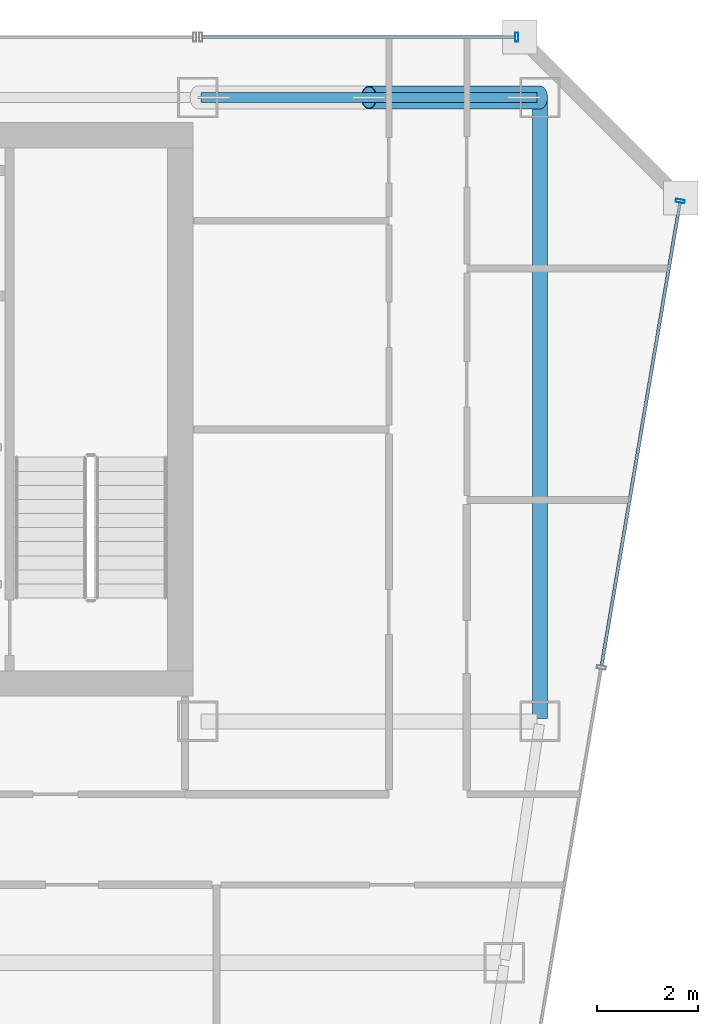
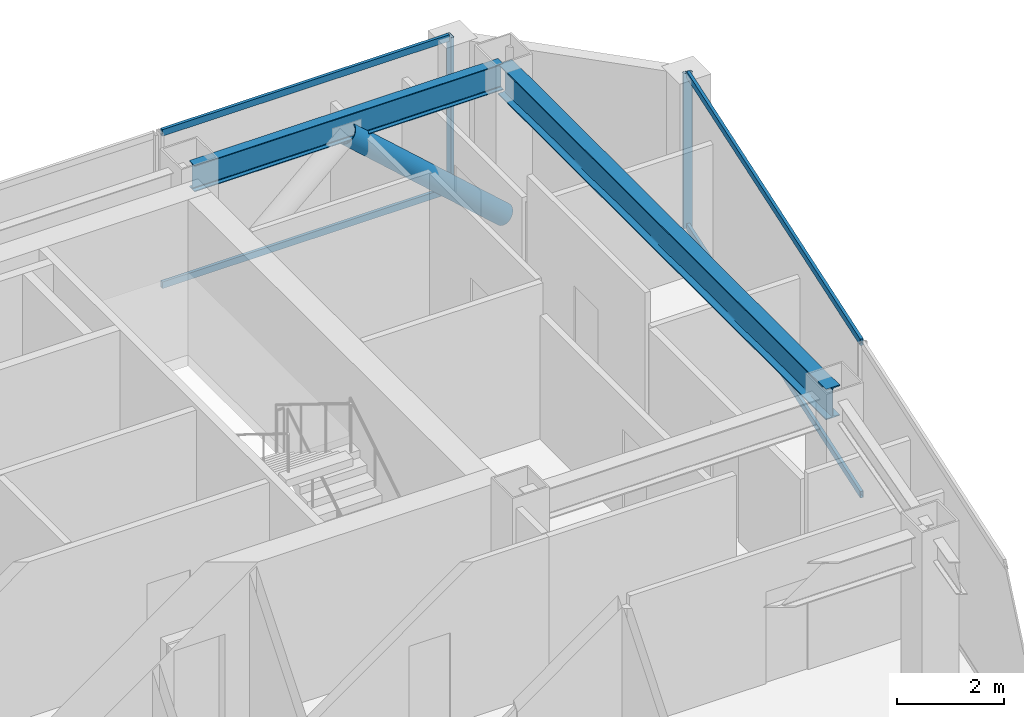
# One storey, part 27 of 36: 7 members, 2 beams, 2 elements without a shape of their own.
"""IFC4 building model written with IfcOpenShell, lengths in metres."""

from ifc_helpers import new_model, si_unit, direction, frame, origin, origin_2d, place, context, subcontext, project, spatial, hollow_rectangle, hollow_circle, i_section, extrude, material, material_profile, profile_set, type_object, element, aggregate, save


model = new_model("IFC4")

# Units and contexts
model_context = context("Model", 3, precision=1e-05, world=origin(), true_north=direction((0.0, 1.0)))
body_context = subcontext(model_context, "Body", "Model", "MODEL_VIEW")
ifc_project = project(units=[si_unit("LENGTHUNIT", "METRE"), si_unit("AREAUNIT", "SQUARE_METRE"), si_unit("VOLUMEUNIT", "CUBIC_METRE"), si_unit("PLANEANGLEUNIT", "RADIAN"), si_unit("MASSUNIT", "GRAM", prefix="KILO")], contexts=[model_context])

# Site, building, storey
site_placement = place(None, origin())
site = spatial("IfcSite", under=ifc_project, at=site_placement, CompositionType="ELEMENT")
building_placement = place(site_placement, origin())
building = spatial("IfcBuilding", under=site, at=building_placement, Name="Saevonmaru Cultural Tower", CompositionType="ELEMENT")
storey_placement = place(building_placement, frame((0.0, 0.0, 186.60009765625)))
storey = spatial("IfcBuildingStorey", under=building, at=storey_placement, Name="L42", CompositionType="ELEMENT", Elevation=186.60009765625)

# Beams
ifc_material_1 = material(Name="Steel SM355", Category="steel")
ifc_material_profile_1 = material_profile(ifc_material_1, i_section(OverallWidth=0.300048828125, OverallDepth=0.699951171875, WebThickness=0.012939453125, FlangeThickness=0.02392578125, FilletRadius=0.02587890625, at=origin_2d()), Name="H-700x300x13x24")
ifc_profile_set_1 = profile_set([ifc_material_profile_1], Name="Steel SM355")
beam_type_1 = type_object("IfcBeamType", Name="BM-G-H700", PredefinedType="BEAM", material=ifc_profile_set_1)
beam_1_placement = place(storey_placement, frame((53.199951171875, 54.739990234375, 3.199951171875), z_axis=(0.0, -1.0, 0.0), x_axis=(1.0, 0.0, 0.0)))
element("IfcBeam", 1, at=beam_1_placement, inside=storey, type_object=beam_type_1, Name="L42 Spine Transverse Girder E", PredefinedType="BEAM", context=body_context, shape_type="SweptSolid", body=[
    extrude(i_section(OverallWidth=0.300048828125, OverallDepth=0.699951171875, WebThickness=0.012939453125, FlangeThickness=0.02392578125, FilletRadius=0.02587890625, at=origin_2d()), origin(), (0.0, 0.0, 1.0), 12.280029296875),
])
ifc_material_profile_2 = material_profile(ifc_material_1, i_section(OverallWidth=0.199951171875, OverallDepth=0.60009765625, WebThickness=0.010986328125, FlangeThickness=0.01708984375, FilletRadius=0.02197265625, at=origin_2d()), Name="H-600x200x11x17")
ifc_profile_set_2 = profile_set([ifc_material_profile_2], Name="Steel SM355")
beam_type_2 = type_object("IfcBeamType", Name="BM-SP-H600", PredefinedType="SPANDREL", material=ifc_profile_set_2)
beam_2_placement = place(storey_placement, frame((46.4599609375, 54.800048828125, 3.25), z_axis=(1.0, 0.0, 0.0), x_axis=(0.0, 1.0, 0.0)))
element("IfcBeam", 2, at=beam_2_placement, inside=storey, type_object=beam_type_2, Name="L42 North Spine Girder 5", PredefinedType="SPANDREL", context=body_context, shape_type="SweptSolid", body=[
    extrude(i_section(OverallWidth=0.199951171875, OverallDepth=0.60009765625, WebThickness=0.010986328125, FlangeThickness=0.01708984375, FilletRadius=0.02197265625, at=origin_2d()), origin(), (0.0, 0.0, 1.0), 6.679931640625),
])

# Member
ifc_material_2 = material(Name="Steel SM420", Category="steel")
ifc_material_profile_3 = material_profile(ifc_material_2, hollow_circle(Radius=0.228515625, WallThickness=0.02001953125, at=origin_2d()), Name="CHS-457.2x20")
ifc_profile_set_3 = profile_set([ifc_material_profile_3], Name="Steel SM420")
member_type_1 = type_object("IfcMemberType", Name="MB-PBR-CHS457", PredefinedType="BRACE", material=ifc_profile_set_3)
member_1_placement = place(storey_placement, frame((53.199951171875, 54.800048828125, 0.02001953125), z_axis=(-0.744393515062, 0.0, 0.667741188436), x_axis=(0.0, -1.0, 0.0)))
element("IfcMember", 3, at=member_1_placement, inside=storey, type_object=member_type_1, Name="L42 Perimeter Braced-Tube Diagonal EN2", PredefinedType="BRACE", context=body_context, shape_type="SweptSolid", body=[
    extrude(hollow_circle(Radius=0.228515625, WallThickness=0.02001953125, at=origin_2d()), origin(), (0.0, 0.0, 1.0), 4.5673828125),
])

# Curtain wall, member
ifc_material_3 = material(Name="Satin Bronze Anodised Aluminium", Category="aluminium")
curtain_wall_type = type_object("IfcCurtainWallType", Name="CW-TYP-B", PredefinedType="NOTDEFINED", material=ifc_material_3)
curtain_wall_1_placement = place(storey_placement, origin())
curtain_wall_1 = element("IfcCurtainWall", 4, at=curtain_wall_1_placement, inside=storey, type_object=curtain_wall_type, Name="L42 Unitised Curtain Wall E8", PredefinedType="NOTDEFINED")
ifc_material_profile_4 = material_profile(ifc_material_3, hollow_rectangle(XDim=0.06494140625, YDim=0.179931640625, WallThickness=0.00390625, at=origin_2d()), Name="ALU-MULL-180x65x4")
ifc_profile_set_4 = profile_set([ifc_material_profile_4], Name="Satin Bronze Anodised Aluminium")
member_type_2 = type_object("IfcMemberType", Name="ML-CW-180x65", PredefinedType="MULLION", material=ifc_profile_set_4)
member_2_placement = place(storey_placement, frame((55.989990234375, 52.74072265625, 0.0), z_axis=(0.0, 0.0, 1.0), x_axis=(0.16692169721, 0.985970155228, 0.0)))
member_2 = element("IfcMember", 5, at=member_2_placement, type_object=member_type_2, Name="CW-TW-L42-E8 mullion 5", PredefinedType="MULLION", context=body_context, shape_type="SweptSolid", body=[
    extrude(hollow_rectangle(XDim=0.06494140625, YDim=0.179931640625, WallThickness=0.00390625, at=origin_2d()), origin(), (0.0, 0.0, 1.0), 3.5498046875),
])

curtain_wall_2_placement = place(storey_placement, origin())
curtain_wall_2 = element("IfcCurtainWall", 6, at=curtain_wall_2_placement, inside=storey, type_object=curtain_wall_type, Name="L42 East Braced Bay Spandrel Curtain Wall E10A", PredefinedType="NOTDEFINED")
member_3_placement = place(storey_placement, frame((52.739990234375, 56.0, 0.0), z_axis=(0.0, 0.0, 1.0), x_axis=(-1.0, 0.0, 0.0)))
member_3 = element("IfcMember", 7, at=member_3_placement, type_object=member_type_2, Name="CW-TW-L42-E10A mullion 1", PredefinedType="MULLION", context=body_context, shape_type="SweptSolid", body=[
    extrude(hollow_rectangle(XDim=0.06494140625, YDim=0.179931640625, WallThickness=0.00390625, at=origin_2d()), origin(), (0.0, 0.0, 1.0), 3.5498046875),
])

# Member
ifc_material_profile_5 = material_profile(ifc_material_3, hollow_rectangle(XDim=0.06494140625, YDim=0.14990234375, WallThickness=0.00390625, at=origin_2d()), Name="ALU-TRAN-150x65x4")
ifc_profile_set_5 = profile_set([ifc_material_profile_5], Name="Satin Bronze Anodised Aluminium")
member_type_3 = type_object("IfcMemberType", Name="TR-CW-150x65", PredefinedType="USERDEFINED", material=ifc_profile_set_5)
member_4_placement = place(storey_placement, frame((54.426025390625, 43.50244140625, 0.032470703125), z_axis=(0.166921263871, 0.985970228591, 0.0), x_axis=(-0.985970228591, 0.166921263871, 0.0)))
member_4 = element("IfcMember", 8, at=member_4_placement, type_object=member_type_3, Name="CW-TW-L42-E8 transom 4.1", ObjectType="TRANSOM", PredefinedType="USERDEFINED", context=body_context, shape_type="SweptSolid", body=[
    extrude(hollow_rectangle(XDim=0.06494140625, YDim=0.14990234375, WallThickness=0.00390625, at=origin_2d()), origin(), (0.0, 0.0, 1.0), 9.33740234375),
])

member_5_placement = place(storey_placement, frame((54.426025390625, 43.50244140625, 3.517333984375), z_axis=(0.166921263871, 0.985970228591, 0.0), x_axis=(-0.985970228591, 0.166921263871, 0.0)))
member_5 = element("IfcMember", 9, at=member_5_placement, type_object=member_type_3, Name="CW-TW-L42-E8 transom 4.2", ObjectType="TRANSOM", PredefinedType="USERDEFINED", context=body_context, shape_type="SweptSolid", body=[
    extrude(hollow_rectangle(XDim=0.06494140625, YDim=0.14990234375, WallThickness=0.00390625, at=origin_2d()), origin(), (0.0, 0.0, 1.0), 9.33740234375),
])

aggregate(curtain_wall_1, [member_2, member_4, member_5])

member_6_placement = place(storey_placement, frame((52.70751953125, 56.0, 0.032470703125), z_axis=(-1.0, 0.0, 0.0), x_axis=(0.0, -1.0, 0.0)))
member_6 = element("IfcMember", 10, at=member_6_placement, type_object=member_type_3, Name="CW-TW-L42-E10A transom 1.1", ObjectType="TRANSOM", PredefinedType="USERDEFINED", context=body_context, shape_type="SweptSolid", body=[
    extrude(hollow_rectangle(XDim=0.06494140625, YDim=0.14990234375, WallThickness=0.00390625, at=origin_2d()), origin(), (0.0, 0.0, 1.0), 6.215087890625),
])

member_7_placement = place(storey_placement, frame((52.70751953125, 56.0, 3.517333984375), z_axis=(-1.0, 0.0, 0.0), x_axis=(0.0, -1.0, 0.0)))
member_7 = element("IfcMember", 11, at=member_7_placement, type_object=member_type_3, Name="CW-TW-L42-E10A transom 1.2", ObjectType="TRANSOM", PredefinedType="USERDEFINED", context=body_context, shape_type="SweptSolid", body=[
    extrude(hollow_rectangle(XDim=0.06494140625, YDim=0.14990234375, WallThickness=0.00390625, at=origin_2d()), origin(), (0.0, 0.0, 1.0), 6.215087890625),
])

aggregate(curtain_wall_2, [member_3, member_6, member_7])

save(model, "model.ifc")
